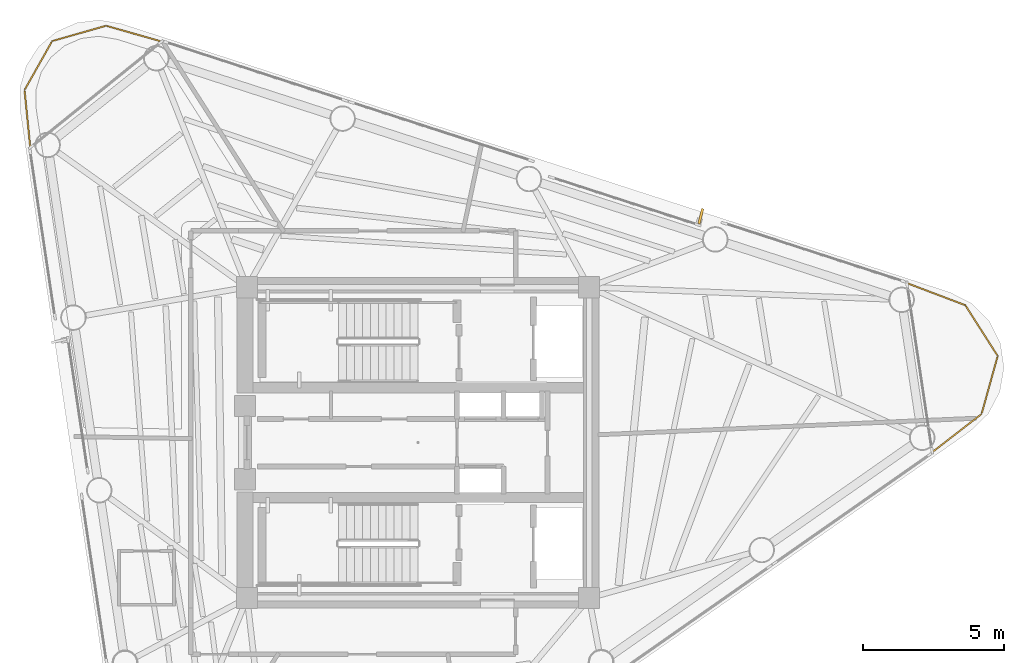
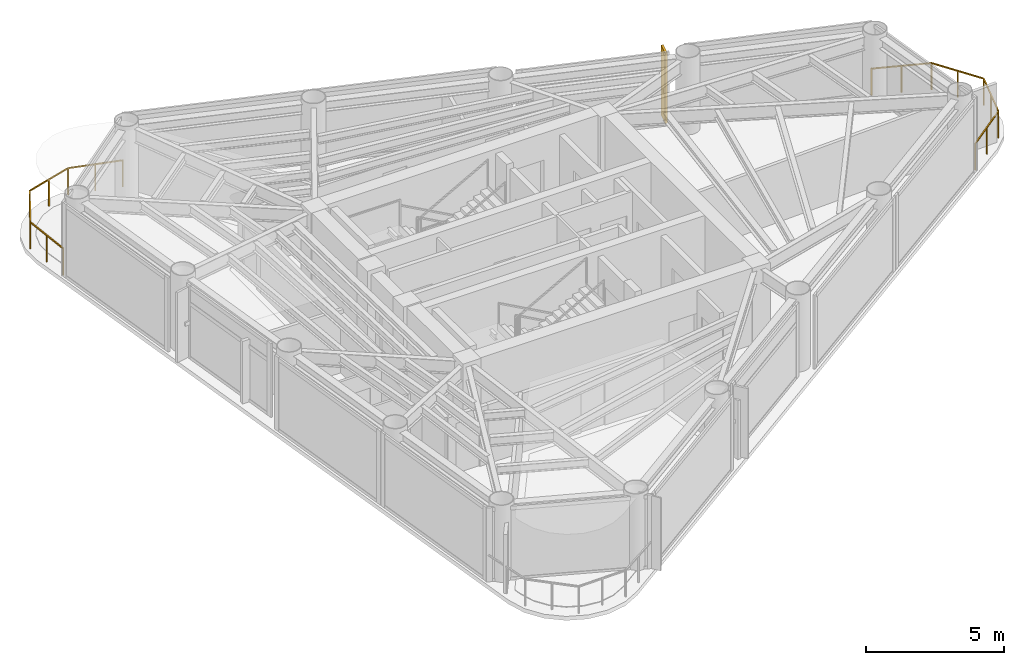
# One storey, part 10 of 10: 2 railings, 1 shading device.
"""IFC4 building model written with IfcOpenShell, lengths in metres."""

from ifc_helpers import new_model, si_unit, direction, frame, origin, origin_2d, place, context, subcontext, project, spatial, rectangle, extrude, source, transform, mapped, material, material_profile, profile_set, type_object, element, save


model = new_model("IFC4")

# Units and contexts
model_context = context("Model", 3, precision=1e-05, world=origin(), true_north=direction((0.0, 1.0)))
body_context = subcontext(model_context, "Body", "Model", "MODEL_VIEW")
ifc_project = project(units=[si_unit("LENGTHUNIT", "METRE"), si_unit("AREAUNIT", "SQUARE_METRE"), si_unit("VOLUMEUNIT", "CUBIC_METRE"), si_unit("PLANEANGLEUNIT", "RADIAN"), si_unit("MASSUNIT", "GRAM", prefix="KILO")], contexts=[model_context])

# Site, building, storey
site_placement = place(None, origin())
site = spatial("IfcSite", under=ifc_project, at=site_placement, CompositionType="ELEMENT")
building_placement = place(site_placement, origin())
building = spatial("IfcBuilding", under=site, at=building_placement, Name="Yunling Apex Tower", CompositionType="ELEMENT")
storey_placement = place(building_placement, frame((0.0, 0.0, 277.949951171875)))
storey = spatial("IfcBuildingStorey", under=building, at=storey_placement, Name="L68", CompositionType="ELEMENT", Elevation=277.949951171875)

# Railings
ifc_material = material(Name="Bronze anodised aluminium", Category="aluminium")
railing_type = type_object("IfcRailingType", Name="RL-BAL-1200", PredefinedType="BALUSTRADE", material=ifc_material)
railing_1_placement = place(storey_placement, frame((17.301513671875, 5.64208984375, 0.0)))
element("IfcRailing", 1, at=railing_1_placement, inside=storey, type_object=railing_type, Name="RL-CRNSILL-L68-1", PredefinedType="BALUSTRADE", context=body_context, shape_type="SweptSolid", body=[
    extrude(rectangle(XDim=0.0439453125, YDim=0.0439453125, at=origin_2d()), origin(), (0.0, 0.0, 1.0), 1.199951171875),
    extrude(rectangle(XDim=0.0439453125, YDim=0.0439453125, at=origin_2d()), frame((2.06103515625, -0.78125, 0.0)), (0.0, 0.0, 1.0), 1.199951171875),
    extrude(rectangle(XDim=0.050048828125, YDim=0.050048828125, at=origin_2d()), frame((0.035888671875, -0.013671875, 1.1748046875), z_axis=(0.935076028929, -0.354447203574, 0.0), x_axis=(0.354447203574, 0.935076028929, 0.0)), (0.0, 0.0, 1.0), 2.12744140625),
    extrude(rectangle(XDim=0.0439453125, YDim=0.0439453125, at=origin_2d()), frame((1.030517578125, -0.390625, 0.0)), (0.0, 0.0, 1.0), 1.14599609375),
    extrude(rectangle(XDim=0.0439453125, YDim=0.0439453125, at=origin_2d()), frame((3.207275390625, -2.576904296875, 0.0)), (0.0, 0.0, 1.0), 1.199951171875),
    extrude(rectangle(XDim=0.050048828125, YDim=0.050048828125, at=origin_2d()), frame((2.08154296875, -0.8134765625, 1.1748046875), z_axis=(0.538061440176, -0.842905621405, 0.0), x_axis=(0.842905621405, 0.538061440176, 0.0)), (0.0, 0.0, 1.0), 2.0537109375),
    extrude(rectangle(XDim=0.0439453125, YDim=0.0439453125, at=origin_2d()), frame((2.63427734375, -1.67919921875, 0.0)), (0.0, 0.0, 1.0), 1.14599609375),
    extrude(rectangle(XDim=0.0439453125, YDim=0.0439453125, at=origin_2d()), frame((2.63623046875, -4.62939453125, 0.0)), (0.0, 0.0, 1.0), 1.199951171875),
    extrude(rectangle(XDim=0.050048828125, YDim=0.050048828125, at=origin_2d()), frame((3.197021484375, -2.61376953125, 1.1748046875), z_axis=(-0.268039837369, -0.963407829314, 0.0), x_axis=(0.963407829314, -0.268039837369, 0.0)), (0.0, 0.0, 1.0), 2.0537109375),
    extrude(rectangle(XDim=0.0439453125, YDim=0.0439453125, at=origin_2d()), frame((2.921875, -3.60302734375, 0.0)), (0.0, 0.0, 1.0), 1.14599609375),
    extrude(rectangle(XDim=0.0439453125, YDim=0.0439453125, at=origin_2d()), frame((0.8935546875, -5.979248046875, 0.0)), (0.0, 0.0, 1.0), 1.199951171875),
    extrude(rectangle(XDim=0.050048828125, YDim=0.050048828125, at=origin_2d()), frame((2.60595703125, -4.65283203125, 1.1748046875), z_axis=(-0.790573223341, -0.612367519172, 0.0), x_axis=(0.612367519172, -0.790573223341, 0.0)), (0.0, 0.0, 1.0), 2.127685546875),
    extrude(rectangle(XDim=0.0439453125, YDim=0.0439453125, at=origin_2d()), frame((1.764892578125, -5.30419921875, 0.0)), (0.0, 0.0, 1.0), 1.14599609375),
])
railing_2_placement = place(storey_placement, frame((-13.722900390625, 10.44091796875, 0.0)))
element("IfcRailing", 2, at=railing_2_placement, inside=storey, type_object=railing_type, Name="RL-CRNSILL-L68-2", PredefinedType="BALUSTRADE", context=body_context, shape_type="SweptSolid", body=[
    extrude(rectangle(XDim=0.0439453125, YDim=0.0439453125, at=origin_2d()), origin(), (0.0, 0.0, 1.0), 1.199951171875),
    extrude(rectangle(XDim=0.0439453125, YDim=0.0439453125, at=origin_2d()), frame((-0.20361328125, 2.0341796875, 0.0)), (0.0, 0.0, 1.0), 1.199951171875),
    extrude(rectangle(XDim=0.050048828125, YDim=0.050048828125, at=origin_2d()), frame((-0.00390625, 0.0380859375, 1.1748046875), z_axis=(-0.099598310599, 0.995027726511, 0.0), x_axis=(-0.995027726511, -0.099598310599, 0.0)), (0.0, 0.0, 1.0), 1.9677734375),
    extrude(rectangle(XDim=0.0439453125, YDim=0.0439453125, at=origin_2d()), frame((-0.101806640625, 1.01708984375, 0.0)), (0.0, 0.0, 1.0), 1.14599609375),
    extrude(rectangle(XDim=0.0439453125, YDim=0.0439453125, at=origin_2d()), frame((0.774169921875, 3.7666015625, 0.0)), (0.0, 0.0, 1.0), 1.199951171875),
    extrude(rectangle(XDim=0.050048828125, YDim=0.050048828125, at=origin_2d()), frame((-0.184814453125, 2.067626953125, 1.1748046875), z_axis=(0.491519311586, 0.870866675409, 0.0), x_axis=(-0.870866675409, 0.491519311586, 0.0)), (0.0, 0.0, 1.0), 1.91259765625),
    extrude(rectangle(XDim=0.0439453125, YDim=0.0439453125, at=origin_2d()), frame((0.28515625, 2.900390625, 0.0)), (0.0, 0.0, 1.0), 1.14599609375),
    extrude(rectangle(XDim=0.0439453125, YDim=0.0439453125, at=origin_2d()), frame((2.68115234375, 4.3095703125, 0.0)), (0.0, 0.0, 1.0), 1.199951171875),
    extrude(rectangle(XDim=0.050048828125, YDim=0.050048828125, at=origin_2d()), frame((0.81103515625, 3.777099609375, 1.1748046875), z_axis=(0.961774454599, 0.273842835364, 0.0), x_axis=(-0.273842835364, 0.961774454599, 0.0)), (0.0, 0.0, 1.0), 1.906005859375),
    extrude(rectangle(XDim=0.0439453125, YDim=0.0439453125, at=origin_2d()), frame((1.7275390625, 4.0380859375, 0.0)), (0.0, 0.0, 1.0), 1.14599609375),
    extrude(rectangle(XDim=0.0439453125, YDim=0.0439453125, at=origin_2d()), frame((4.6484375, 3.7509765625, 0.0)), (0.0, 0.0, 1.0), 1.199951171875),
    extrude(rectangle(XDim=0.050048828125, YDim=0.050048828125, at=origin_2d()), frame((2.718017578125, 4.299072265625, 1.1748046875), z_axis=(0.961973149689, -0.273144026618, 0.0), x_axis=(0.273144026618, 0.961973149689, 0.0)), (0.0, 0.0, 1.0), 1.968505859375),
    extrude(rectangle(XDim=0.0439453125, YDim=0.0439453125, at=origin_2d()), frame((3.664794921875, 4.0302734375, 0.0)), (0.0, 0.0, 1.0), 1.14599609375),
])

# Shading device
ifc_material_profile = material_profile(ifc_material, rectangle(XDim=0.0849609375, YDim=0.550048828125, at=origin_2d()))
ifc_profile_set = profile_set([ifc_material_profile], Name="Bronze anodised aluminium")
shading_device_type = type_object("IfcShadingDeviceType", Name="FN-BRZ-3", PredefinedType="USERDEFINED", material=ifc_profile_set)
shared_shape = source(origin(), body_context, "Body", "SweptSolid", [
    extrude(rectangle(XDim=0.0849609375, YDim=0.550048828125, at=origin_2d()), origin(), (0.0, 0.0, 1.0), 3.10009765625),
])
shading_device_placement = place(storey_placement, frame((10.0048828125, 8.012451171875, 0.06005859375), z_axis=(0.0, 0.0, 1.0), x_axis=(-0.969402520914, 0.245476582274, 0.0)))
element("IfcShadingDevice", 3, at=shading_device_placement, inside=storey, type_object=shading_device_type, Name="CW-L68-F2-B2-FIN-01", ObjectType="FIN", PredefinedType="USERDEFINED", context=body_context, shape_type="MappedRepresentation", body=[
    mapped(shared_shape, transform((0.0, 0.0, 0.0), scale=1.0)),
])

save(model, "model.ifc")
